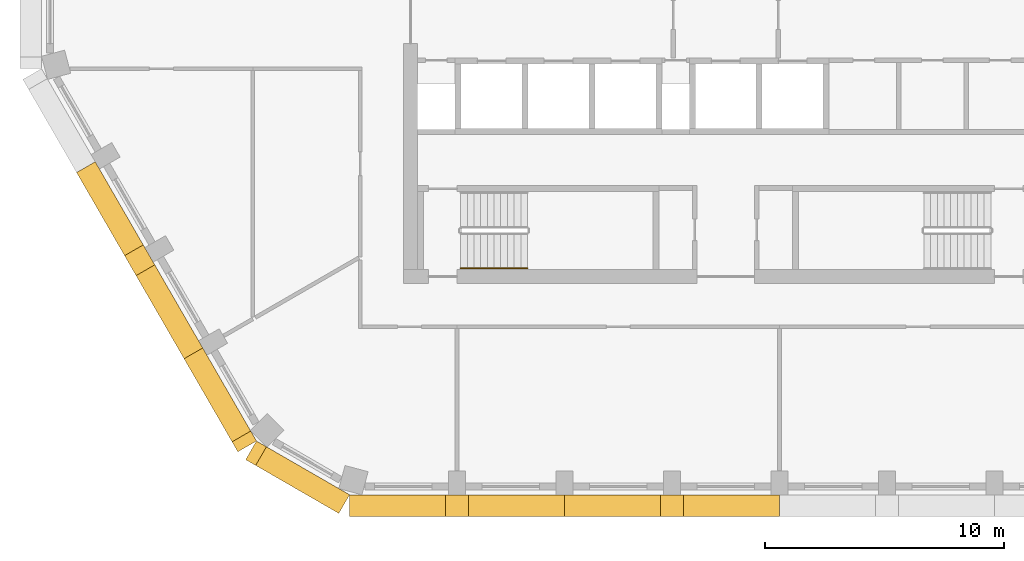
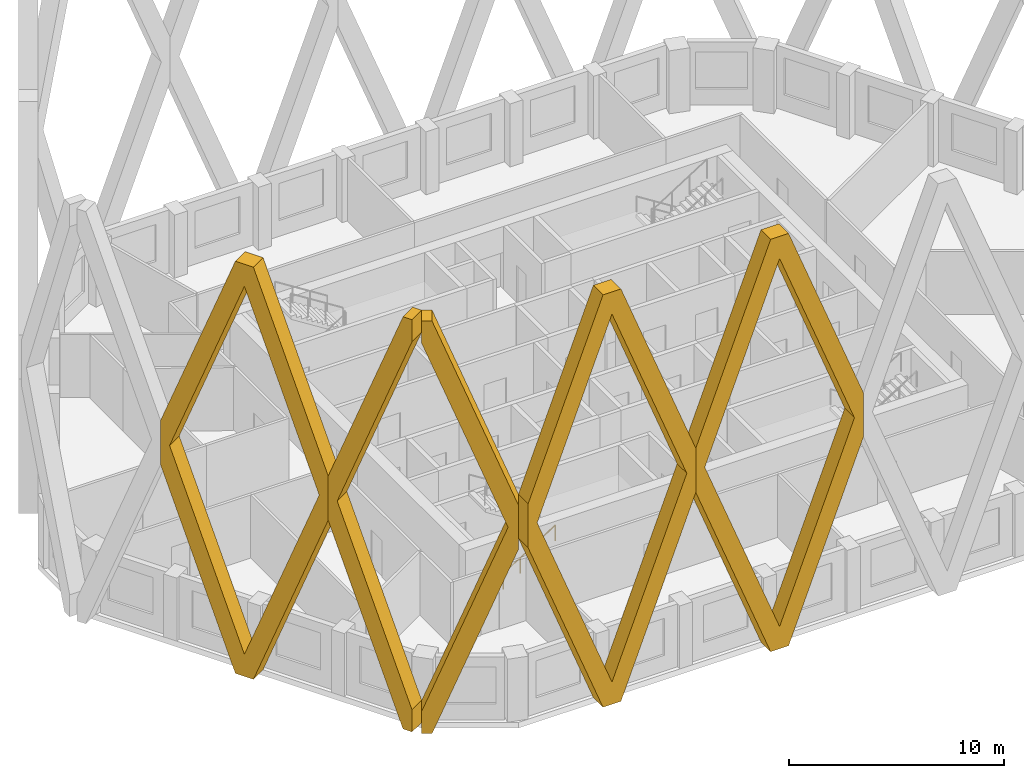
# One storey, part 7 of 13: 5 coverings, 1 railing.
"""IFC4 building model written with IfcOpenShell, lengths in metres."""

from ifc_helpers import new_model, si_unit, direction, frame, origin, origin_2d, place, context, subcontext, project, spatial, polyline, circle, outline, extrude, material, type_object, element, save


model = new_model("IFC4")

# Units and contexts
model_context = context("Model", 3, precision=1e-05, world=origin(), true_north=direction((0.0, 1.0)))
body_context = subcontext(model_context, "Body", "Model", "MODEL_VIEW")
ifc_project = project(units=[si_unit("LENGTHUNIT", "METRE"), si_unit("AREAUNIT", "SQUARE_METRE"), si_unit("VOLUMEUNIT", "CUBIC_METRE"), si_unit("PLANEANGLEUNIT", "RADIAN"), si_unit("MASSUNIT", "GRAM", prefix="KILO")], contexts=[model_context])

# Site, building, storey
site_placement = place(None, origin())
site = spatial("IfcSite", under=ifc_project, at=site_placement, CompositionType="ELEMENT")
building_placement = place(site_placement, origin())
building = spatial("IfcBuilding", under=site, at=building_placement, Name="Dhurran Vertical Campus", CompositionType="ELEMENT")
storey_placement = place(building_placement, frame((0.0, 0.0, 258.60009765625)))
storey = spatial("IfcBuildingStorey", under=building, at=storey_placement, Name="L64", CompositionType="ELEMENT", Elevation=258.60009765625)

# Coverings
ifc_material_1 = material(Name="Precast concrete C50/60", Category="concrete")
covering_type = type_object("IfcCoveringType", Name="Folded precast fin lattice diamond", PredefinedType="USERDEFINED", material=ifc_material_1)
for number, where, z_axis, x_axis, name in (
    (1, (-15.75, -20.08837890625, 0.0), (0.0, -1.0, 0.0), (1.0, 0.0, 0.0), "FN1 L64.001"),
    (2, (-6.75, -20.08837890625, 0.0), (0.0, -1.0, 0.0), (1.0, 0.0, 0.0), "FN1 L64.002"),
):
    element("IfcCovering", number, at=place(storey_placement, frame(where, z_axis=z_axis, x_axis=x_axis)), inside=storey, type_object=covering_type, Name=name, ObjectType="FIN", PredefinedType="USERDEFINED", context=body_context, shape_type="SweptSolid", body=[
        extrude(outline(polyline([(9.0, 12.95361328125), (9.0, 10.4462890625), (4.982177734375, 0.0), (4.017822265625, 0.0), (0.0, 10.4462890625), (0.0, 12.95361328125), (4.017822265625, 23.39990234375), (4.982177734375, 23.39990234375), (9.0, 12.95361328125)]), holes=[polyline([(8.517822265625, 11.699951171875), (4.5, 22.146484375), (0.482177734375, 11.699951171875), (4.5, 1.253662109375), (8.517822265625, 11.699951171875)])]), origin(), (0.0, 0.0, 1.0), 0.900146484375),
    ])
covering_1_placement = place(storey_placement, frame((-26.397216796875, -6.147216796875, 0.0), z_axis=(-0.866013897511, -0.50001992892, 0.0), x_axis=(0.50001992892, -0.866013897511, 0.0)))
element("IfcCovering", 3, at=covering_1_placement, inside=storey, type_object=covering_type, Name="FN1 L64.022", ObjectType="FIN", PredefinedType="USERDEFINED", context=body_context, shape_type="SweptSolid", body=[
    extrude(outline(polyline([(9.0, 12.95361328125), (9.0, 10.4462890625), (4.982177734375, 0.0), (4.017822265625, 0.0), (0.0, 10.4462890625), (0.0, 12.95361328125), (4.017822265625, 23.39990234375), (4.982177734375, 23.39990234375), (9.0, 12.95361328125)]), holes=[polyline([(8.517822265625, 11.699951171875), (4.5, 22.146484375), (0.482177734375, 11.699951171875), (4.5, 1.253662109375), (8.517822265625, 11.699951171875)])]), origin(), (0.0, 0.0, 1.0), 0.89990234375),
])
covering_2_placement = place(storey_placement, frame((-21.897216796875, -13.94140625, 0.0), z_axis=(-0.866013897511, -0.50001992892, 0.0), x_axis=(0.50001992892, -0.866013897511, 0.0)))
element("IfcCovering", 4, at=covering_2_placement, inside=storey, type_object=covering_type, Name="FN1 L64.023", ObjectType="FIN", PredefinedType="USERDEFINED", context=body_context, shape_type="SweptSolid", body=[
    extrude(outline(polyline([(4.017822265625, 0.0), (0.0, 10.4462890625), (0.0, 12.95361328125), (4.017822265625, 23.39990234375), (4.5, 23.39990234375), (4.5, 22.146484375), (0.482177734375, 11.699951171875), (4.5, 1.253662109375), (4.5, 0.0), (4.017822265625, 0.0)])), origin(), (0.0, 0.0, 1.0), 0.89990234375),
])
covering_3_placement = place(storey_placement, frame((-19.647216796875, -17.83837890625, 0.0), z_axis=(-0.499902469156, -0.866081705922, 0.0), x_axis=(0.866081705922, -0.499902469156, 0.0)))
element("IfcCovering", 5, at=covering_3_placement, inside=storey, type_object=covering_type, Name="FN1 L64.024", ObjectType="FIN", PredefinedType="USERDEFINED", context=body_context, shape_type="SweptSolid", body=[
    extrude(outline(polyline([(4.5, 10.4462890625), (0.482177734375, 0.0), (0.0, 0.0), (0.0, 1.253662109375), (4.017822265625, 11.699951171875), (0.0, 22.146484375), (0.0, 23.39990234375), (0.482177734375, 23.39990234375), (4.5, 12.95361328125), (4.5, 10.4462890625)])), origin(), (0.0, 0.0, 1.0), 0.900146484375),
])

# Railing
ifc_material_2 = material(Name="Stainless steel handrail", Category="steel")
railing_type = type_object("IfcRailingType", Name="co-RL-HANDRAIL-900", PredefinedType="HANDRAIL", material=ifc_material_2)
railing_placement = place(storey_placement, frame((-11.10009765625, -10.60009765625, 0.17724609375)))
element("IfcRailing", 6, at=railing_placement, inside=storey, type_object=railing_type, Name="L64 ST3 stair handrail 1", PredefinedType="HANDRAIL", context=body_context, shape_type="SweptSolid", body=[
    extrude(circle(Radius=0.02392578125, at=origin_2d()), frame((0.0, 0.0, 0.8759765625), z_axis=(0.844908973607, 0.0, 0.534910110503), x_axis=(0.0, 1.0, 0.0)), (0.0, 0.0, 1.0), 3.31396484375),
    extrude(circle(Radius=0.02099609375, at=origin_2d()), origin(), (0.0, 0.0, 1.0), 0.851806640625),
    extrude(circle(Radius=0.02099609375, at=origin_2d()), frame((0.933349609375, 0.0, 0.5908203125)), (0.0, 0.0, 1.0), 0.851806640625),
    extrude(circle(Radius=0.02099609375, at=origin_2d()), frame((1.86669921875, 0.0, 1.181884765625)), (0.0, 0.0, 1.0), 0.851806640625),
    extrude(circle(Radius=0.02099609375, at=origin_2d()), frame((2.800048828125, 0.0, 1.772705078125)), (0.0, 0.0, 1.0), 0.851806640625),
])

save(model, "model.ifc")
